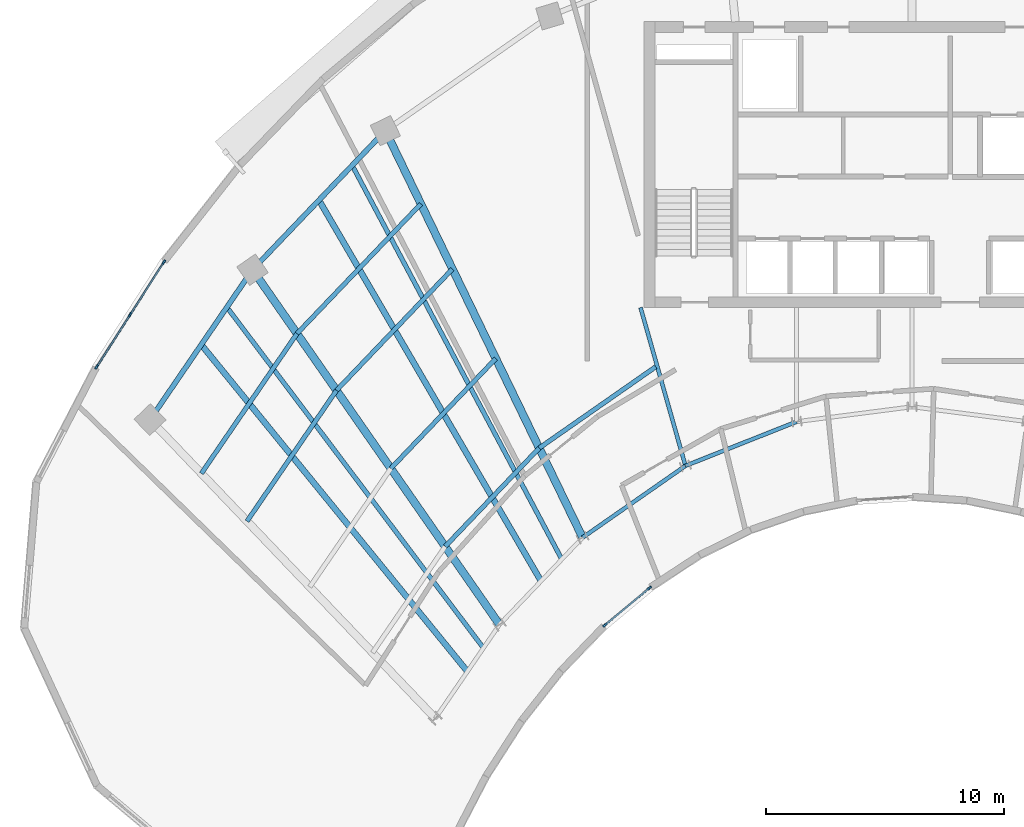
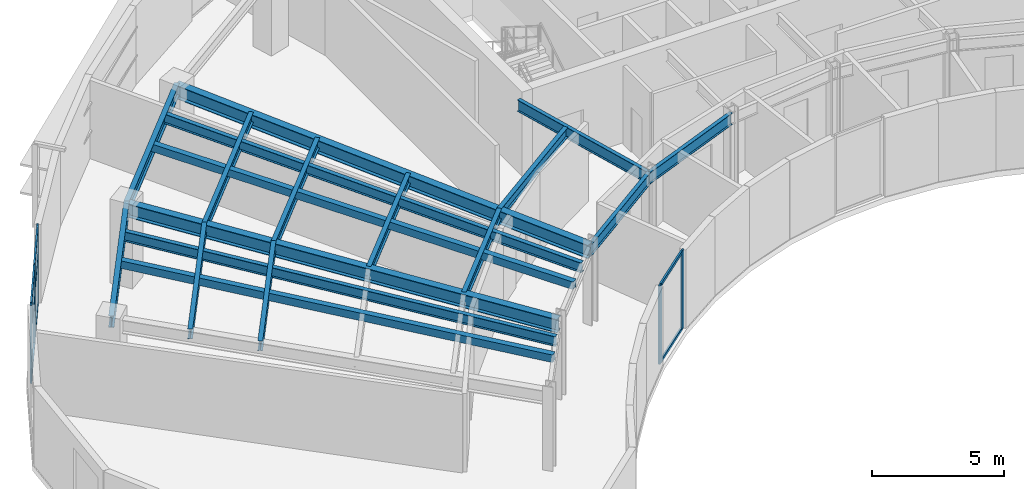
# One storey, part 2 of 14: 18 beams, 13 members, 2 elements without a shape of their own.
"""IFC4 building model written with IfcOpenShell, lengths in metres."""

from ifc_helpers import new_model, si_unit, direction, frame, origin, origin_2d, place, context, subcontext, project, spatial, rectangle, hollow_rectangle, i_section, extrude, source, transform, mapped, material, layer, layer_set, material_profile, profile_set, type_object, type_shapes, element, aggregate, save


model = new_model("IFC4")

# Units and contexts
model_context = context("Model", 3, precision=1e-05, world=origin(), true_north=direction((0.0, 1.0)))
body_context = subcontext(model_context, "Body", "Model", "MODEL_VIEW")
ifc_project = project(units=[si_unit("LENGTHUNIT", "METRE"), si_unit("AREAUNIT", "SQUARE_METRE"), si_unit("VOLUMEUNIT", "CUBIC_METRE"), si_unit("PLANEANGLEUNIT", "RADIAN"), si_unit("MASSUNIT", "GRAM", prefix="KILO")], contexts=[model_context])

# Site, building, storey
site_placement = place(None, origin())
site = spatial("IfcSite", under=ifc_project, at=site_placement, CompositionType="ELEMENT")
building_placement = place(site_placement, origin())
building = spatial("IfcBuilding", under=site, at=building_placement, Name="Breltana Convention Tower", CompositionType="ELEMENT")
storey_placement = place(building_placement, frame((0.0, 0.0, 219.60009765625)))
storey = spatial("IfcBuildingStorey", under=building, at=storey_placement, Name="L53", CompositionType="ELEMENT", Elevation=219.60009765625)

# Beams
ifc_material_1 = material(Name="Steel ASTM A992 Grade 50", Category="steel")
ifc_material_profile_1 = material_profile(ifc_material_1, i_section(OverallWidth=0.19091796875, OverallDepth=0.4599609375, WebThickness=0.010009765625, FlangeThickness=0.01611328125, at=origin_2d()), Name="W18X55")
ifc_profile_set_1 = profile_set([ifc_material_profile_1], Name="Steel ASTM A992 Grade 50")
beam_type_1 = type_object("IfcBeamType", Name="BM-JSG-07", PredefinedType="JOIST", material=ifc_profile_set_1)
shared_shape_1 = source(origin(), body_context, "Body", "SweptSolid", [
    extrude(i_section(OverallWidth=0.19091796875, OverallDepth=0.4599609375, WebThickness=0.010009765625, FlangeThickness=0.01611328125, at=origin_2d()), origin(), (0.0, 0.0, 1.0), 6.654541015625),
])
beam_1_placement = place(storey_placement, frame((20.0791015625, 51.23095703125, 3.409912109375), z_axis=(0.564482668195, 0.82544492082, 0.0), x_axis=(-0.82544492082, 0.564482668195, 0.0)))
element("IfcBeam", 1, at=beam_1_placement, inside=storey, type_object=beam_type_1, Name="L53 Composite Floor Joist 01.3", PredefinedType="JOIST", context=body_context, shape_type="MappedRepresentation", body=[
    mapped(shared_shape_1, transform((0.0, 0.0, 0.0), scale=1.0)),
])
shared_shape_2 = source(origin(), body_context, "Body", "SweptSolid", [
    extrude(i_section(OverallWidth=0.19091796875, OverallDepth=0.4599609375, WebThickness=0.010009765625, FlangeThickness=0.01611328125, at=origin_2d()), origin(), (0.0, 0.0, 1.0), 7.111328125),
])
beam_2_placement = place(storey_placement, frame((18.162841796875, 53.2373046875, 3.409912109375), z_axis=(0.564446356178, 0.825469751715, 0.0), x_axis=(-0.825469751715, 0.564446356178, 0.0)))
element("IfcBeam", 2, at=beam_2_placement, inside=storey, type_object=beam_type_1, Name="L53 Composite Floor Joist 01.4", PredefinedType="JOIST", context=body_context, shape_type="MappedRepresentation", body=[
    mapped(shared_shape_2, transform((0.0, 0.0, 0.0), scale=1.0)),
])
ifc_material_profile_2 = material_profile(ifc_material_1, hollow_rectangle(XDim=0.25, YDim=0.35009765625, WallThickness=0.011962890625, at=origin_2d()), Name="RHS350X250X12")
ifc_profile_set_2 = profile_set([ifc_material_profile_2], Name="Steel ASTM A992 Grade 50")
beam_type_2 = type_object("IfcBeamType", Name="BM-JSG-12", PredefinedType="JOIST", material=ifc_profile_set_2)
shared_shape_3 = source(origin(), body_context, "Body", "SweptSolid", [
    extrude(hollow_rectangle(XDim=0.25, YDim=0.35009765625, WallThickness=0.011962890625, at=origin_2d()), origin(), (0.0, 0.0, 1.0), 17.691650390625),
])
type_shapes(beam_type_2, [shared_shape_3])
beam_3_placement = place(storey_placement, frame((29.330810546875, 44.923583984375, 3.46484375), z_axis=(-0.631476958478, 0.775394642044, 0.0), x_axis=(-0.775394642044, -0.631476958478, 0.0)))
element("IfcBeam", 3, at=beam_3_placement, inside=storey, type_object=beam_type_2, Name="L53 Mid-Bay Radial Trimmer 01", PredefinedType="JOIST", context=body_context, shape_type="MappedRepresentation", body=[
    mapped(shared_shape_3, transform((0.0, 0.0, 0.0), scale=1.0)),
])
shared_shape_4 = source(origin(), body_context, "Body", "SweptSolid", [
    extrude(i_section(OverallWidth=0.19091796875, OverallDepth=0.4599609375, WebThickness=0.010009765625, FlangeThickness=0.01611328125, at=origin_2d()), origin(), (0.0, 0.0, 1.0), 17.9072265625),
])
beam_4_placement = place(storey_placement, frame((30.00390625, 45.907958984375, 3.409912109375), z_axis=(-0.601382105028, 0.798961553363, 0.0), x_axis=(-0.798961553363, -0.601382105028, 0.0)))
element("IfcBeam", 4, at=beam_4_placement, inside=storey, type_object=beam_type_1, Name="L53 Quarter-Bay Radial Trimmer 01", PredefinedType="JOIST", context=body_context, shape_type="MappedRepresentation", body=[
    mapped(shared_shape_4, transform((0.0, 0.0, 0.0), scale=1.0)),
])
shared_shape_5 = source(origin(), body_context, "Body", "SweptSolid", [
    extrude(i_section(OverallWidth=0.19091796875, OverallDepth=0.4599609375, WebThickness=0.010009765625, FlangeThickness=0.01611328125, at=origin_2d()), origin(), (0.0, 0.0, 1.0), 5.716064453125),
])
beam_5_placement = place(storey_placement, frame((28.396484375, 50.169677734375, 3.409912109375), z_axis=(0.690756060045, 0.723087868458, 0.0), x_axis=(-0.723087868458, 0.690756060045, 0.0)))
element("IfcBeam", 5, at=beam_5_placement, inside=storey, type_object=beam_type_1, Name="L53 Composite Floor Joist 02.1", PredefinedType="JOIST", context=body_context, shape_type="MappedRepresentation", body=[
    mapped(shared_shape_5, transform((0.0, 0.0, 0.0), scale=1.0)),
])
shared_shape_6 = source(origin(), body_context, "Body", "SweptSolid", [
    extrude(i_section(OverallWidth=0.19091796875, OverallDepth=0.4599609375, WebThickness=0.010009765625, FlangeThickness=0.01611328125, at=origin_2d()), origin(), (0.0, 0.0, 1.0), 6.381103515625),
])
beam_6_placement = place(storey_placement, frame((26.115966796875, 53.44677734375, 3.409912109375), z_axis=(0.690737768889, 0.723105341309, 0.0), x_axis=(-0.723105341309, 0.690737768889, 0.0)))
element("IfcBeam", 6, at=beam_6_placement, inside=storey, type_object=beam_type_1, Name="L53 Composite Floor Joist 02.2", PredefinedType="JOIST", context=body_context, shape_type="MappedRepresentation", body=[
    mapped(shared_shape_6, transform((0.0, 0.0, 0.0), scale=1.0)),
])
shared_shape_7 = source(origin(), body_context, "Body", "SweptSolid", [
    extrude(i_section(OverallWidth=0.19091796875, OverallDepth=0.4599609375, WebThickness=0.010009765625, FlangeThickness=0.01611328125, at=origin_2d()), origin(), (0.0, 0.0, 1.0), 7.046142578125),
])
beam_7_placement = place(storey_placement, frame((23.83544921875, 56.723876953125, 3.409912109375), z_axis=(0.690722929904, 0.723119515782, 0.0), x_axis=(-0.723119515782, 0.690722929904, 0.0)))
element("IfcBeam", 7, at=beam_7_placement, inside=storey, type_object=beam_type_1, Name="L53 Composite Floor Joist 02.3", PredefinedType="JOIST", context=body_context, shape_type="MappedRepresentation", body=[
    mapped(shared_shape_7, transform((0.0, 0.0, 0.0), scale=1.0)),
])
shared_shape_8 = source(origin(), body_context, "Body", "SweptSolid", [
    extrude(i_section(OverallWidth=0.19091796875, OverallDepth=0.4599609375, WebThickness=0.010009765625, FlangeThickness=0.01611328125, at=origin_2d()), origin(), (0.0, 0.0, 1.0), 7.529541015625),
])
beam_8_placement = place(storey_placement, frame((22.1767578125, 59.107421875, 3.409912109375), z_axis=(0.690725562031, 0.723117001568, 0.0), x_axis=(-0.723117001568, 0.690725562031, 0.0)))
element("IfcBeam", 8, at=beam_8_placement, inside=storey, type_object=beam_type_1, Name="L53 Composite Floor Joist 02.4", PredefinedType="JOIST", context=body_context, shape_type="MappedRepresentation", body=[
    mapped(shared_shape_8, transform((0.0, 0.0, 0.0), scale=1.0)),
])
shared_shape_9 = source(origin(), body_context, "Body", "SweptSolid", [
    extrude(hollow_rectangle(XDim=0.25, YDim=0.35009765625, WallThickness=0.011962890625, at=origin_2d()), origin(), (0.0, 0.0, 1.0), 18.50830078125),
])
beam_9_placement = place(storey_placement, frame((32.421630859375, 48.71875, 3.46484375), z_axis=(-0.50368319637, 0.863888440537, 0.0), x_axis=(-0.863888440537, -0.50368319637, 0.0)))
element("IfcBeam", 9, at=beam_9_placement, inside=storey, type_object=beam_type_2, Name="L53 Mid-Bay Radial Trimmer 02", PredefinedType="JOIST", context=body_context, shape_type="MappedRepresentation", body=[
    mapped(shared_shape_9, transform((0.0, 0.0, 0.0), scale=1.0)),
])
shared_shape_10 = source(origin(), body_context, "Body", "SweptSolid", [
    extrude(i_section(OverallWidth=0.19091796875, OverallDepth=0.4599609375, WebThickness=0.010009765625, FlangeThickness=0.01611328125, at=origin_2d()), origin(), (0.0, 0.0, 1.0), 18.731689453125),
])
beam_10_placement = place(storey_placement, frame((33.2939453125, 49.6318359375, 3.409912109375), z_axis=(-0.469820250451, 0.882762104004, 0.0), x_axis=(-0.882762104004, -0.469820250451, 0.0)))
element("IfcBeam", 10, at=beam_10_placement, inside=storey, type_object=beam_type_1, Name="L53 Quarter-Bay Radial Trimmer 02", PredefinedType="JOIST", context=body_context, shape_type="MappedRepresentation", body=[
    mapped(shared_shape_10, transform((0.0, 0.0, 0.0), scale=1.0)),
])
shared_shape_11 = source(origin(), body_context, "Body", "SweptSolid", [
    extrude(i_section(OverallWidth=0.19091796875, OverallDepth=0.4599609375, WebThickness=0.010009765625, FlangeThickness=0.01611328125, at=origin_2d()), origin(), (0.0, 0.0, 1.0), 5.959228515625),
])
beam_11_placement = place(storey_placement, frame((32.344970703125, 54.302978515625, 3.409912109375), z_axis=(0.820160485262, 0.572133531979, 0.0), x_axis=(-0.572133531979, 0.820160485262, 0.0)))
element("IfcBeam", 11, at=beam_11_placement, inside=storey, type_object=beam_type_1, Name="L53 Composite Floor Joist 03.1", PredefinedType="JOIST", context=body_context, shape_type="MappedRepresentation", body=[
    mapped(shared_shape_11, transform((0.0, 0.0, 0.0), scale=1.0)),
])
ifc_material_profile_3 = material_profile(ifc_material_1, i_section(OverallWidth=0.166015625, OverallDepth=0.534912109375, WebThickness=0.01025390625, FlangeThickness=0.0166015625, at=origin_2d()), Name="W21X57")
ifc_profile_set_3 = profile_set([ifc_material_profile_3], Name="Steel ASTM A992 Grade 50")
beam_type_3 = type_object("IfcBeamType", Name="BM-BM-W21X57", PredefinedType="BEAM", material=ifc_profile_set_3)
shared_shape_12 = source(origin(), body_context, "Body", "SweptSolid", [
    extrude(i_section(OverallWidth=0.166015625, OverallDepth=0.534912109375, WebThickness=0.01025390625, FlangeThickness=0.0166015625, at=origin_2d()), origin(), (0.0, 0.0, 1.0), 6.904541015625),
])
type_shapes(beam_type_3, [shared_shape_12])
beam_12_placement = place(storey_placement, frame((36.60009765625, 60.199951171875, 3.372314453125), z_axis=(0.273006781054, -0.962012108811, 0.0), x_axis=(0.962012108811, 0.273006781054, 0.0)))
element("IfcBeam", 12, at=beam_12_placement, inside=storey, type_object=beam_type_3, Name="L53 South Core Tie Girder R04", PredefinedType="BEAM", context=body_context, shape_type="MappedRepresentation", body=[
    mapped(shared_shape_12, transform((0.0, 0.0, 0.0), scale=1.0)),
])
shared_shape_13 = source(origin(), body_context, "Body", "SweptSolid", [
    extrude(i_section(OverallWidth=0.166015625, OverallDepth=0.534912109375, WebThickness=0.01025390625, FlangeThickness=0.0166015625, at=origin_2d()), origin(), (0.0, 0.0, 1.0), 5.265869140625),
])
beam_13_placement = place(storey_placement, frame((34.166259765625, 50.544921875, 3.372314453125), z_axis=(0.820167429517, 0.572123577176, 0.0), x_axis=(-0.572123577176, 0.820167429517, 0.0)))
element("IfcBeam", 13, at=beam_13_placement, inside=storey, type_object=beam_type_3, Name="L53 Inner Ring Beam 03", PredefinedType="BEAM", context=body_context, shape_type="MappedRepresentation", body=[
    mapped(shared_shape_13, transform((0.0, 0.0, 0.0), scale=1.0)),
])
shared_shape_14 = source(origin(), body_context, "Body", "SweptSolid", [
    extrude(i_section(OverallWidth=0.166015625, OverallDepth=0.534912109375, WebThickness=0.01025390625, FlangeThickness=0.0166015625, at=origin_2d()), origin(), (0.0, 0.0, 1.0), 5.022705078125),
])
beam_14_placement = place(storey_placement, frame((38.485107421875, 53.5576171875, 3.372314453125), z_axis=(0.929458966248, 0.368925507469, 0.0), x_axis=(-0.368925507469, 0.929458966248, 0.0)))
element("IfcBeam", 14, at=beam_14_placement, inside=storey, type_object=beam_type_3, Name="L53 Inner Ring Beam 04", PredefinedType="BEAM", context=body_context, shape_type="MappedRepresentation", body=[
    mapped(shared_shape_14, transform((0.0, 0.0, 0.0), scale=1.0)),
])
ifc_material_profile_4 = material_profile(ifc_material_1, i_section(OverallWidth=0.326904296875, OverallDepth=0.6220703125, WebThickness=0.015380859375, FlangeThickness=0.0244140625, at=origin_2d()), Name="W24X131")
ifc_profile_set_4 = profile_set([ifc_material_profile_4], Name="Steel ASTM A992 Grade 50")
beam_type_4 = type_object("IfcBeamType", Name="BM-RG-W24X131", PredefinedType="USERDEFINED", material=ifc_profile_set_4)
shared_shape_15 = source(origin(), body_context, "Body", "SweptSolid", [
    extrude(i_section(OverallWidth=0.326904296875, OverallDepth=0.6220703125, WebThickness=0.015380859375, FlangeThickness=0.0244140625, at=origin_2d()), origin(), (0.0, 0.0, 1.0), 18.1484375),
])
beam_15_placement = place(storey_placement, frame((30.67724609375, 46.892333984375, 3.328857421875), z_axis=(-0.571207556098, 0.820805657788, 0.0), x_axis=(-0.820805657788, -0.571207556098, 0.0)))
element("IfcBeam", 15, at=beam_15_placement, inside=storey, type_object=beam_type_4, Name="L53 Radial Floor Girder R02", ObjectType="GIRDER", PredefinedType="USERDEFINED", context=body_context, shape_type="MappedRepresentation", body=[
    mapped(shared_shape_15, transform((0.0, 0.0, 0.0), scale=1.0)),
])
shared_shape_16 = source(origin(), body_context, "Body", "SweptSolid", [
    extrude(i_section(OverallWidth=0.326904296875, OverallDepth=0.6220703125, WebThickness=0.015380859375, FlangeThickness=0.0244140625, at=origin_2d()), origin(), (0.0, 0.0, 1.0), 18.982421875),
])
beam_16_placement = place(storey_placement, frame((34.166259765625, 50.544921875, 3.328857421875), z_axis=(-0.436118560343, 0.89988921614, 0.0), x_axis=(-0.89988921614, -0.436118560343, 0.0)))
element("IfcBeam", 16, at=beam_16_placement, inside=storey, type_object=beam_type_4, Name="L53 Radial Floor Girder R03", ObjectType="GIRDER", PredefinedType="USERDEFINED", context=body_context, shape_type="MappedRepresentation", body=[
    mapped(shared_shape_16, transform((0.0, 0.0, 0.0), scale=1.0)),
])
ifc_material_profile_5 = material_profile(ifc_material_1, i_section(OverallWidth=0.214111328125, OverallDepth=0.549072265625, WebThickness=0.0146484375, FlangeThickness=0.023681640625, at=origin_2d()), Name="W21X93")
ifc_profile_set_5 = profile_set([ifc_material_profile_5], Name="Steel ASTM A992 Grade 50")
beam_type_5 = type_object("IfcBeamType", Name="BM-SP-W21X93", PredefinedType="SPANDREL", material=ifc_profile_set_5)
shared_shape_17 = source(origin(), body_context, "Body", "SweptSolid", [
    extrude(i_section(OverallWidth=0.214111328125, OverallDepth=0.549072265625, WebThickness=0.0146484375, FlangeThickness=0.023681640625, at=origin_2d()), origin(), (0.0, 0.0, 1.0), 7.625),
])
type_shapes(beam_type_5, [shared_shape_17])
beam_17_placement = place(storey_placement, frame((16.0068359375, 55.494384765625, 3.365478515625), z_axis=(0.564452031902, 0.825465870694, 0.0), x_axis=(-0.825465870694, 0.564452031902, 0.0)))
element("IfcBeam", 17, at=beam_17_placement, inside=storey, type_object=beam_type_5, Name="L53 Outer Spandrel Beam 01", PredefinedType="SPANDREL", context=body_context, shape_type="MappedRepresentation", body=[
    mapped(shared_shape_17, transform((0.0, 0.0, 0.0), scale=1.0)),
])
shared_shape_18 = source(origin(), body_context, "Body", "SweptSolid", [
    extrude(i_section(OverallWidth=0.214111328125, OverallDepth=0.549072265625, WebThickness=0.0146484375, FlangeThickness=0.023681640625, at=origin_2d()), origin(), (0.0, 0.0, 1.0), 8.073974609375),
])
beam_18_placement = place(storey_placement, frame((20.310791015625, 61.78857421875, 3.365478515625), z_axis=(0.69072885448, 0.723113856588, 0.0), x_axis=(-0.723113856588, 0.69072885448, 0.0)))
element("IfcBeam", 18, at=beam_18_placement, inside=storey, type_object=beam_type_5, Name="L53 Outer Spandrel Beam 02", PredefinedType="SPANDREL", context=body_context, shape_type="MappedRepresentation", body=[
    mapped(shared_shape_18, transform((0.0, 0.0, 0.0), scale=1.0)),
])

# Curtain wall, members
ifc_material_2 = material(Name="Aluminium Anodised Bronze Frame", Category="aluminium")
ifc_layer_1 = layer(ifc_material_2, 0.18994140625, Name="Aluminium Anodised Bronze Frame")
ifc_layer_set_1 = layer_set([ifc_layer_1], Name="Aluminium Anodised Bronze Frame")
curtain_wall_type_1 = type_object("IfcCurtainWallType", Name="CW-SYS-1", PredefinedType="NOTDEFINED", material=ifc_layer_set_1)
curtain_wall_1_placement = place(storey_placement, origin())
curtain_wall_1 = element("IfcCurtainWall", 19, at=curtain_wall_1_placement, inside=storey, type_object=curtain_wall_type_1, Name="L53 inner south-court glazing 5", PredefinedType="NOTDEFINED")
ifc_material_3 = material(Name="Aluminium Anodised Bronze", Category="aluminium")
ifc_material_profile_6 = material_profile(ifc_material_3, rectangle(XDim=0.080078125, YDim=0.139892578125, at=origin_2d()), Name="CWT-80X140")
ifc_profile_set_6 = profile_set([ifc_material_profile_6], Name="Aluminium Anodised Bronze")
member_type_1 = type_object("IfcMemberType", Name="CWT-140", PredefinedType="USERDEFINED", material=ifc_profile_set_6)
shared_shape_19 = source(origin(), body_context, "Body", "SweptSolid", [
    extrude(rectangle(XDim=0.080078125, YDim=0.139892578125, at=origin_2d()), origin(), (0.0, 0.0, 1.0), 2.351318359375),
])
member_1_placement = place(storey_placement, frame((36.939208984375, 48.398193359375, 0.039794921875), z_axis=(-0.767931836883, -0.640531571354, 0.0), x_axis=(0.640531571354, -0.767931836883, 0.0)))
member_1 = element("IfcMember", 20, at=member_1_placement, type_object=member_type_1, Name="CW-01 transom 1.1", ObjectType="TRANSOM", PredefinedType="USERDEFINED", context=body_context, shape_type="MappedRepresentation", body=[
    mapped(shared_shape_19, transform((0.0, 0.0, 0.0), scale=1.0)),
])
member_2_placement = place(storey_placement, frame((36.939208984375, 48.398193359375, 3.599853515625), z_axis=(-0.767931836883, -0.640531571354, 0.0), x_axis=(0.640531571354, -0.767931836883, 0.0)))
member_2 = element("IfcMember", 21, at=member_2_placement, type_object=member_type_1, Name="CW-01 transom 1.2", ObjectType="TRANSOM", PredefinedType="USERDEFINED", context=body_context, shape_type="MappedRepresentation", body=[
    mapped(shared_shape_19, transform((0.0, 0.0, 0.0), scale=1.0)),
])
ifc_material_profile_7 = material_profile(ifc_material_3, rectangle(XDim=0.080078125, YDim=0.199951171875, at=origin_2d()), Name="CWM-80X200")
ifc_profile_set_7 = profile_set([ifc_material_profile_7], Name="Aluminium Anodised Bronze")
member_type_2 = type_object("IfcMemberType", Name="CWM-200", PredefinedType="MULLION", material=ifc_profile_set_7)
shared_shape_20 = source(origin(), body_context, "Body", "SweptSolid", [
    extrude(rectangle(XDim=0.080078125, YDim=0.199951171875, at=origin_2d()), origin(), (0.0, 0.0, 1.0), 3.639892578125),
])
member_3_placement = place(storey_placement, frame((36.969970703125, 48.423828125, 0.0), z_axis=(0.0, 0.0, 1.0), x_axis=(0.640540750309, -0.767924180628, 0.0)))
member_3 = element("IfcMember", 22, at=member_3_placement, type_object=member_type_2, Name="CW-01 mullion 1", PredefinedType="MULLION", context=body_context, shape_type="MappedRepresentation", body=[
    mapped(shared_shape_20, transform((0.0, 0.0, 0.0), scale=1.0)),
])
member_4_placement = place(storey_placement, frame((35.10302734375, 46.866455078125, 0.0), z_axis=(0.0, 0.0, 1.0), x_axis=(0.640540750309, -0.767924180628, 0.0)))
member_4 = element("IfcMember", 23, at=member_4_placement, type_object=member_type_2, Name="CW-01 mullion 2", PredefinedType="MULLION", context=body_context, shape_type="MappedRepresentation", body=[
    mapped(shared_shape_20, transform((0.0, 0.0, 0.0), scale=1.0)),
])
aggregate(curtain_wall_1, [member_3, member_4, member_1, member_2])

ifc_layer_2 = layer(ifc_material_2, 0.219970703125, Name="Aluminium Anodised Bronze Frame")
ifc_layer_set_2 = layer_set([ifc_layer_2], Name="Aluminium Anodised Bronze Frame")
curtain_wall_type_2 = type_object("IfcCurtainWallType", Name="CW-SYS-4", PredefinedType="NOTDEFINED", material=ifc_layer_set_2)
curtain_wall_2_placement = place(storey_placement, origin())
curtain_wall_2 = element("IfcCurtainWall", 24, at=curtain_wall_2_placement, inside=storey, type_object=curtain_wall_type_2, Name="L53 outer double-skin inner glazing 1", PredefinedType="NOTDEFINED")
member_5_placement = place(storey_placement, frame((13.76611328125, 57.710693359375, 0.0), z_axis=(0.0, 0.0, 1.0), x_axis=(-0.84154835428, 0.540181791075, 0.0)))
member_5 = element("IfcMember", 25, at=member_5_placement, type_object=member_type_2, Name="CW-04 mullion 1", PredefinedType="MULLION", context=body_context, shape_type="MappedRepresentation", body=[
    mapped(shared_shape_20, transform((0.0, 0.0, 0.0), scale=1.0)),
])
member_6_placement = place(storey_placement, frame((15.1767578125, 59.908203125, 0.0), z_axis=(0.0, 0.0, 1.0), x_axis=(-0.84154835428, 0.540181791075, 0.0)))
member_6 = element("IfcMember", 26, at=member_6_placement, type_object=member_type_2, Name="CW-04 mullion 2", PredefinedType="MULLION", context=body_context, shape_type="MappedRepresentation", body=[
    mapped(shared_shape_20, transform((0.0, 0.0, 0.0), scale=1.0)),
])
member_7_placement = place(storey_placement, frame((16.58740234375, 62.10595703125, 0.0), z_axis=(0.0, 0.0, 1.0), x_axis=(-0.84154835428, 0.540181791075, 0.0)))
member_7 = element("IfcMember", 27, at=member_7_placement, type_object=member_type_2, Name="CW-04 mullion 3", PredefinedType="MULLION", context=body_context, shape_type="MappedRepresentation", body=[
    mapped(shared_shape_20, transform((0.0, 0.0, 0.0), scale=1.0)),
])
ifc_material_profile_8 = material_profile(ifc_material_3, rectangle(XDim=0.070068359375, YDim=0.1201171875, at=origin_2d()), Name="CWT-70X120")
ifc_profile_set_8 = profile_set([ifc_material_profile_8], Name="Aluminium Anodised Bronze")
member_type_3 = type_object("IfcMemberType", Name="CWT-120", PredefinedType="USERDEFINED", material=ifc_profile_set_8)
shared_shape_21 = source(origin(), body_context, "Body", "SweptSolid", [
    extrude(rectangle(XDim=0.070068359375, YDim=0.1201171875, at=origin_2d()), origin(), (0.0, 0.0, 1.0), 2.531494140625),
])
member_8_placement = place(storey_placement, frame((13.787841796875, 57.744384765625, 0.034912109375), z_axis=(0.540172540617, 0.841554291988, 0.0), x_axis=(-0.841554291988, 0.540172540617, 0.0)))
member_8 = element("IfcMember", 28, at=member_8_placement, type_object=member_type_3, Name="CW-04 transom 1.1", ObjectType="TRANSOM", PredefinedType="USERDEFINED", context=body_context, shape_type="MappedRepresentation", body=[
    mapped(shared_shape_21, transform((0.0, 0.0, 0.0), scale=1.0)),
])
member_9_placement = place(storey_placement, frame((13.787841796875, 57.744384765625, 2.365966796875), z_axis=(0.540172540617, 0.841554291988, 0.0), x_axis=(-0.841554291988, 0.540172540617, 0.0)))
member_9 = element("IfcMember", 29, at=member_9_placement, type_object=member_type_3, Name="CW-04 transom 1.2", ObjectType="TRANSOM", PredefinedType="USERDEFINED", context=body_context, shape_type="MappedRepresentation", body=[
    mapped(shared_shape_21, transform((0.0, 0.0, 0.0), scale=1.0)),
])
member_10_placement = place(storey_placement, frame((13.787841796875, 57.744384765625, 3.60498046875), z_axis=(0.540172540617, 0.841554291988, 0.0), x_axis=(-0.841554291988, 0.540172540617, 0.0)))
member_10 = element("IfcMember", 30, at=member_10_placement, type_object=member_type_3, Name="CW-04 transom 1.3", ObjectType="TRANSOM", PredefinedType="USERDEFINED", context=body_context, shape_type="MappedRepresentation", body=[
    mapped(shared_shape_21, transform((0.0, 0.0, 0.0), scale=1.0)),
])
member_11_placement = place(storey_placement, frame((15.198486328125, 59.94189453125, 0.034912109375), z_axis=(0.540172540617, 0.841554291988, 0.0), x_axis=(-0.841554291988, 0.540172540617, 0.0)))
member_11 = element("IfcMember", 31, at=member_11_placement, type_object=member_type_3, Name="CW-04 transom 2.1", ObjectType="TRANSOM", PredefinedType="USERDEFINED", context=body_context, shape_type="MappedRepresentation", body=[
    mapped(shared_shape_21, transform((0.0, 0.0, 0.0), scale=1.0)),
])
member_12_placement = place(storey_placement, frame((15.198486328125, 59.94189453125, 2.365966796875), z_axis=(0.540172540617, 0.841554291988, 0.0), x_axis=(-0.841554291988, 0.540172540617, 0.0)))
member_12 = element("IfcMember", 32, at=member_12_placement, type_object=member_type_3, Name="CW-04 transom 2.2", ObjectType="TRANSOM", PredefinedType="USERDEFINED", context=body_context, shape_type="MappedRepresentation", body=[
    mapped(shared_shape_21, transform((0.0, 0.0, 0.0), scale=1.0)),
])
member_13_placement = place(storey_placement, frame((15.198486328125, 59.94189453125, 3.60498046875), z_axis=(0.540172540617, 0.841554291988, 0.0), x_axis=(-0.841554291988, 0.540172540617, 0.0)))
member_13 = element("IfcMember", 33, at=member_13_placement, type_object=member_type_3, Name="CW-04 transom 2.3", ObjectType="TRANSOM", PredefinedType="USERDEFINED", context=body_context, shape_type="MappedRepresentation", body=[
    mapped(shared_shape_21, transform((0.0, 0.0, 0.0), scale=1.0)),
])
aggregate(curtain_wall_2, [member_5, member_6, member_7, member_8, member_9, member_10, member_11, member_12, member_13])

save(model, "model.ifc")
